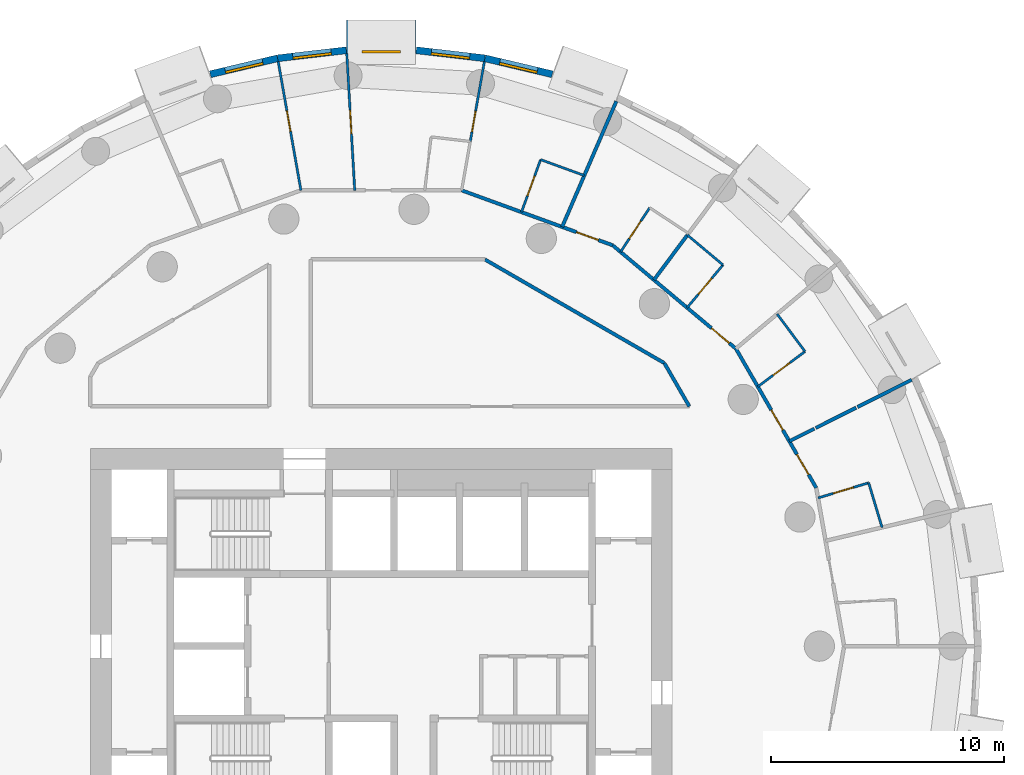
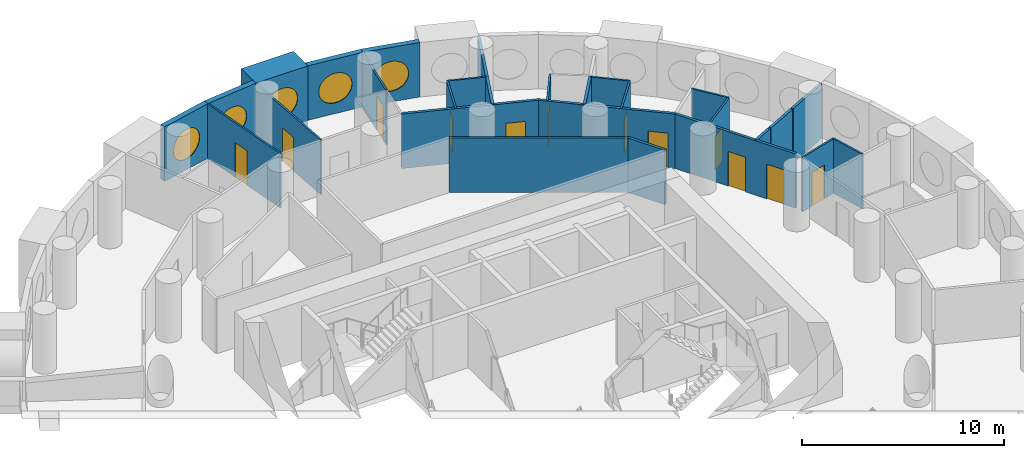
# One storey, part 7 of 10: 27 walls, 12 doors, 5 windows, 17 openings.
"""IFC4 building model written with IfcOpenShell, lengths in metres."""

from ifc_helpers import new_model, si_unit, direction, frame, frame_2d, origin, origin_2d, place, context, subcontext, project, spatial, rectangle, circle, extrude, material, layer, layer_set, type_object, element, fill, save


model = new_model("IFC4")

# Units and contexts
model_context = context("Model", 3, precision=1e-05, world=origin(), true_north=direction((0.0, 1.0)))
body_context = subcontext(model_context, "Body", "Model", "MODEL_VIEW")
ifc_project = project(units=[si_unit("LENGTHUNIT", "METRE"), si_unit("AREAUNIT", "SQUARE_METRE"), si_unit("VOLUMEUNIT", "CUBIC_METRE"), si_unit("PLANEANGLEUNIT", "RADIAN"), si_unit("MASSUNIT", "GRAM", prefix="KILO")], contexts=[model_context])

# Site, building, storey
site_placement = place(None, origin())
site = spatial("IfcSite", under=ifc_project, at=site_placement, CompositionType="ELEMENT")
building_placement = place(site_placement, origin())
building = spatial("IfcBuilding", under=site, at=building_placement, Name="Tracery Tower", CompositionType="ELEMENT")
storey_placement = place(building_placement, frame((0.0, 0.0, 158.39990234375)))
storey = spatial("IfcBuildingStorey", under=building, at=storey_placement, Name="L40", CompositionType="ELEMENT", Elevation=158.39990234375)

# Wall, opening, window
ifc_material_1 = material(Name="Precast concrete C50/60", Category="concrete")
ifc_layer_1 = layer(ifc_material_1, 1.449951171875)
ifc_layer_set_1 = layer_set([ifc_layer_1], Name="Deep-set bay unit 3000 x 3600, slab edge 300")
wall_type_1 = type_object("IfcWallType", Name="Deep-set bay unit 3000 x 3600, slab edge 300", PredefinedType="ELEMENTEDWALL", material=ifc_layer_set_1)
wall_1_placement = place(storey_placement, frame((1.5, 26.178955078125, -0.2998046875), z_axis=(0.0, 0.0, 1.0), x_axis=(-1.0, 0.0, 0.0)))
wall_1 = element("IfcWall", 1, at=wall_1_placement, inside=storey, type_object=wall_type_1, Name="Deep-set bay unit 14 at L40", PredefinedType="ELEMENTEDWALL", context=body_context, shape_type="SweptSolid", body=[
    extrude(rectangle(XDim=3.0, YDim=1.449951171875, at=frame_2d((1.5, 0.0))), origin(), (0.0, 0.0, 1.0), 3.599853515625),
])
opening_1_placement = place(wall_1_placement, frame((1.5, 0.0, 1.85009765625)))
opening_1 = element("IfcOpeningElement", 2, at=opening_1_placement, cuts=wall_1, Name="Opening WN1", PredefinedType="OPENING", context=body_context, shape_type="SweptSolid", body=[
    extrude(circle(Radius=0.9000244140625, at=origin_2d()), frame((0.0, 0.73486328125, 0.0), z_axis=(0.0, -1.0, 0.0), x_axis=(1.0, 0.0, 0.0)), (0.0, 0.0, 1.0), 1.469970703125),
])
ifc_material_2 = material(Name="Aluminium frame with tinted double glazing", Category="aluminium")
window_type = type_object("IfcWindowType", Name="Round window 1800", PartitioningType="SINGLE_PANEL", PredefinedType="WINDOW", material=ifc_material_2)
window_1_placement = place(opening_1_placement, origin())
window_1 = element("IfcWindow", 3, at=window_1_placement, inside=storey, type_object=window_type, Name="Round window 14 at L40", OverallHeight=1.800048828125, OverallWidth=1.800048828125, PartitioningType="SINGLE_PANEL", PredefinedType="WINDOW", context=body_context, shape_type="SweptSolid", body=[
    extrude(circle(Radius=0.9000244140625, at=origin_2d()), frame((0.0, 0.69482421875, 0.0), z_axis=(0.0, -1.0, 0.0), x_axis=(1.0, 0.0, 0.0)), (0.0, 0.0, 1.0), 0.10009765625),
])
fill(opening_1, window_1)

ifc_material_3 = material(Name="Precast concrete C50/60", Category="concrete")
ifc_layer_2 = layer(ifc_material_3, 0.300048828125)
ifc_layer_set_2 = layer_set([ifc_layer_2], Name="Facade panel 3000 x 3300")
wall_type_2 = type_object("IfcWallType", Name="Facade panel 3000 x 3300", PredefinedType="SOLIDWALL", material=ifc_layer_set_2)
wall_2_placement = place(storey_placement, frame((7.346435546875, 24.572265625, 0.0), z_axis=(0.0, 0.0, 1.0), x_axis=(-0.973049746156, 0.230595298102, 0.0)))
wall_2 = element("IfcWall", 4, at=wall_2_placement, inside=storey, type_object=wall_type_2, Name="Facade panel 12 at L40", PredefinedType="SOLIDWALL", context=body_context, shape_type="SweptSolid", body=[
    extrude(rectangle(XDim=2.972900390625, YDim=0.300048828125, at=frame_2d((1.486328125, 0.0))), origin(), (0.0, 0.0, 1.0), 3.300048828125),
])
opening_2_placement = place(wall_2_placement, frame((1.486328125, 0.0, 1.5498046875)))
opening_2 = element("IfcOpeningElement", 5, at=opening_2_placement, cuts=wall_2, Name="Opening WN1", PredefinedType="OPENING", context=body_context, shape_type="SweptSolid", body=[
    extrude(circle(Radius=0.9000244140625, at=origin_2d()), frame((0.0, 0.159912109375, 0.0), z_axis=(0.0, -1.0, 0.0), x_axis=(1.0, 0.0, 0.0)), (0.0, 0.0, 1.0), 0.320068359375),
])
window_2_placement = place(opening_2_placement, origin())
window_2 = element("IfcWindow", 6, at=window_2_placement, inside=storey, type_object=window_type, Name="Round window 12 at L40", OverallHeight=1.800048828125, OverallWidth=1.800048828125, PartitioningType="SINGLE_PANEL", PredefinedType="WINDOW", context=body_context, shape_type="SweptSolid", body=[
    extrude(circle(Radius=0.9000244140625, at=origin_2d()), frame((0.0, 0.1201171875, 0.0), z_axis=(0.0, -1.0, 0.0), x_axis=(1.0, 0.0, 0.0)), (0.0, 0.0, 1.0), 0.10009765625),
])
fill(opening_2, window_2)

wall_3_placement = place(storey_placement, frame((4.45361328125, 25.2578125, 0.0), z_axis=(0.0, 0.0, 1.0), x_axis=(-0.993235542767, 0.116116995244, 0.0)))
wall_3 = element("IfcWall", 7, at=wall_3_placement, inside=storey, type_object=wall_type_2, Name="Facade panel 13 at L40", PredefinedType="SOLIDWALL", context=body_context, shape_type="SweptSolid", body=[
    extrude(rectangle(XDim=2.972900390625, YDim=0.300048828125, at=frame_2d((1.486328125, 0.0))), origin(), (0.0, 0.0, 1.0), 3.300048828125),
])
opening_3_placement = place(wall_3_placement, frame((1.486328125, 0.0, 1.5498046875)))
opening_3 = element("IfcOpeningElement", 8, at=opening_3_placement, cuts=wall_3, Name="Opening WN1", PredefinedType="OPENING", context=body_context, shape_type="SweptSolid", body=[
    extrude(circle(Radius=0.9000244140625, at=origin_2d()), frame((0.0, 0.159912109375, 0.0), z_axis=(0.0, -1.0, 0.0), x_axis=(1.0, 0.0, 0.0)), (0.0, 0.0, 1.0), 0.320068359375),
])
window_3_placement = place(opening_3_placement, origin())
window_3 = element("IfcWindow", 9, at=window_3_placement, inside=storey, type_object=window_type, Name="Round window 13 at L40", OverallHeight=1.800048828125, OverallWidth=1.800048828125, PartitioningType="SINGLE_PANEL", PredefinedType="WINDOW", context=body_context, shape_type="SweptSolid", body=[
    extrude(circle(Radius=0.9000244140625, at=origin_2d()), frame((0.0, 0.1201171875, 0.0), z_axis=(0.0, -1.0, 0.0), x_axis=(1.0, 0.0, 0.0)), (0.0, 0.0, 1.0), 0.10009765625),
])
fill(opening_3, window_3)

wall_4_placement = place(storey_placement, frame((-1.500732421875, 25.60302734375, 0.0), z_axis=(0.0, 0.0, 1.0), x_axis=(-0.993235542767, -0.116116995244, 0.0)))
wall_4 = element("IfcWall", 10, at=wall_4_placement, inside=storey, type_object=wall_type_2, Name="Facade panel 15 at L40", PredefinedType="SOLIDWALL", context=body_context, shape_type="SweptSolid", body=[
    extrude(rectangle(XDim=2.972900390625, YDim=0.300048828125, at=frame_2d((1.486328125, 0.0))), origin(), (0.0, 0.0, 1.0), 3.300048828125),
])
opening_4_placement = place(wall_4_placement, frame((1.486328125, 0.0, 1.5498046875)))
opening_4 = element("IfcOpeningElement", 11, at=opening_4_placement, cuts=wall_4, Name="Opening WN1", PredefinedType="OPENING", context=body_context, shape_type="SweptSolid", body=[
    extrude(circle(Radius=0.9000244140625, at=origin_2d()), frame((0.0, 0.159912109375, 0.0), z_axis=(0.0, -1.0, 0.0), x_axis=(1.0, 0.0, 0.0)), (0.0, 0.0, 1.0), 0.320068359375),
])
window_4_placement = place(opening_4_placement, origin())
window_4 = element("IfcWindow", 12, at=window_4_placement, inside=storey, type_object=window_type, Name="Round window 15 at L40", OverallHeight=1.800048828125, OverallWidth=1.800048828125, PartitioningType="SINGLE_PANEL", PredefinedType="WINDOW", context=body_context, shape_type="SweptSolid", body=[
    extrude(circle(Radius=0.9000244140625, at=origin_2d()), frame((0.0, 0.1201171875, 0.0), z_axis=(0.0, -1.0, 0.0), x_axis=(1.0, 0.0, 0.0)), (0.0, 0.0, 1.0), 0.10009765625),
])
fill(opening_4, window_4)

wall_5_placement = place(storey_placement, frame((-4.45361328125, 25.2578125, 0.0), z_axis=(0.0, 0.0, 1.0), x_axis=(-0.973049746156, -0.230595298102, 0.0)))
wall_5 = element("IfcWall", 13, at=wall_5_placement, inside=storey, type_object=wall_type_2, Name="Facade panel 16 at L40", PredefinedType="SOLIDWALL", context=body_context, shape_type="SweptSolid", body=[
    extrude(rectangle(XDim=2.972900390625, YDim=0.300048828125, at=frame_2d((1.486328125, 0.0))), origin(), (0.0, 0.0, 1.0), 3.300048828125),
])
opening_5_placement = place(wall_5_placement, frame((1.486328125, 0.0, 1.5498046875)))
opening_5 = element("IfcOpeningElement", 14, at=opening_5_placement, cuts=wall_5, Name="Opening WN1", PredefinedType="OPENING", context=body_context, shape_type="SweptSolid", body=[
    extrude(circle(Radius=0.9000244140625, at=origin_2d()), frame((0.0, 0.159912109375, 0.0), z_axis=(0.0, -1.0, 0.0), x_axis=(1.0, 0.0, 0.0)), (0.0, 0.0, 1.0), 0.320068359375),
])
window_5_placement = place(opening_5_placement, origin())
window_5 = element("IfcWindow", 15, at=window_5_placement, inside=storey, type_object=window_type, Name="Round window 16 at L40", OverallHeight=1.800048828125, OverallWidth=1.800048828125, PartitioningType="SINGLE_PANEL", PredefinedType="WINDOW", context=body_context, shape_type="SweptSolid", body=[
    extrude(circle(Radius=0.9000244140625, at=origin_2d()), frame((0.0, 0.1201171875, 0.0), z_axis=(0.0, -1.0, 0.0), x_axis=(1.0, 0.0, 0.0)), (0.0, 0.0, 1.0), 0.10009765625),
])
fill(opening_5, window_5)

# Wall, opening, door
ifc_material_4 = material(Name="Plasterboard on steel studs", Category="steel")
ifc_layer_3 = layer(ifc_material_4, 0.10009765625)
ifc_layer_set_3 = layer_set([ifc_layer_3], Name="Partition 100 stud")
wall_type_3 = type_object("IfcWallType", Name="Partition 100 stud", PredefinedType="PARTITIONING", material=ifc_layer_set_3)
wall_6_placement = place(storey_placement, frame((-1.48291015625, 25.4541015625, 0.0), z_axis=(0.0, 0.0, 1.0), x_axis=(0.058147412668, -0.998308007781, 0.0)))
wall_6 = element("IfcWall", 16, at=wall_6_placement, inside=storey, type_object=wall_type_3, Name="Stud partition RB4-058", PredefinedType="PARTITIONING", context=body_context, shape_type="SweptSolid", body=[
    extrude(rectangle(XDim=5.878173828125, YDim=0.10009765625, at=frame_2d((2.93896484375, 0.0))), origin(), (0.0, 0.0, 1.0), 3.300048828125),
])
opening_6_placement = place(wall_6_placement, frame((2.43896484375, 0.0, 0.0)))
opening_6 = element("IfcOpeningElement", 17, at=opening_6_placement, cuts=wall_6, Name="Opening RB4-16", PredefinedType="OPENING", context=body_context, shape_type="SweptSolid", body=[
    extrude(rectangle(XDim=1.0, YDim=2.0400390625, at=frame_2d((0.5, 1.02001953125))), frame((0.0, 0.050048828125, 0.0), z_axis=(0.0, -1.0, 0.0), x_axis=(1.0, 0.0, 0.0)), (0.0, 0.0, 1.0), 0.10009765625),
])
ifc_material_5 = material(Name="Timber door leaf", Category="wood")
door_type_1 = type_object("IfcDoorType", Name="Door communal room 1000", OperationType="NOTDEFINED", PredefinedType="DOOR", material=ifc_material_5)
door_1_placement = place(opening_6_placement, origin())
door_1 = element("IfcDoor", 18, at=door_1_placement, inside=storey, type_object=door_type_1, Name="Communal room door RB4-16", OperationType="SINGLE_SWING_RIGHT", OverallHeight=2.0400390625, OverallWidth=1.0, PredefinedType="DOOR", context=body_context, shape_type="SweptSolid", body=[
    extrude(rectangle(XDim=1.0, YDim=2.0400390625, at=frame_2d((0.5, 1.02001953125))), frame((0.0, 0.02490234375, 0.0), z_axis=(0.0, -1.0, 0.0), x_axis=(1.0, 0.0, 0.0)), (0.0, 0.0, 1.0), 0.050048828125),
])
fill(opening_6, door_1)

wall_7_placement = place(storey_placement, frame((3.822998046875, 21.68408203125, 0.0), z_axis=(0.0, 0.0, 1.0), x_axis=(0.173893421059, 0.984764478499, 0.0)))
wall_7 = element("IfcWall", 19, at=wall_7_placement, inside=storey, type_object=wall_type_3, Name="Stud partition RB4-061", PredefinedType="PARTITIONING", context=body_context, shape_type="SweptSolid", body=[
    extrude(rectangle(XDim=3.47900390625, YDim=0.10009765625, at=frame_2d((1.739501953125, 0.0))), origin(), (0.0, 0.0, 1.0), 3.300048828125),
])
opening_7_placement = place(wall_7_placement, frame((0.430908203125, 0.0, 0.0)))
opening_7 = element("IfcOpeningElement", 20, at=opening_7_placement, cuts=wall_7, Name="Opening RB4-18", PredefinedType="OPENING", context=body_context, shape_type="SweptSolid", body=[
    extrude(rectangle(XDim=0.89990234375, YDim=2.10009765625, at=frame_2d((0.449951171875, 1.050048828125))), frame((0.0, 0.050048828125, 0.0), z_axis=(0.0, -1.0, 0.0), x_axis=(1.0, 0.0, 0.0)), (0.0, 0.0, 1.0), 0.10009765625),
])
ifc_material_6 = material(Name="Timber door leaf", Category="wood")
door_type_2 = type_object("IfcDoorType", Name="Door bedroom 900", OperationType="NOTDEFINED", PredefinedType="DOOR", material=ifc_material_6)
door_2_placement = place(opening_7_placement, origin())
door_2 = element("IfcDoor", 21, at=door_2_placement, inside=storey, type_object=door_type_2, Name="Bedroom door RB4-18", OperationType="SINGLE_SWING_RIGHT", OverallHeight=2.10009765625, OverallWidth=0.89990234375, PredefinedType="DOOR", context=body_context, shape_type="SweptSolid", body=[
    extrude(rectangle(XDim=0.89990234375, YDim=2.10009765625, at=frame_2d((0.449951171875, 1.050048828125))), frame((0.0, 0.02490234375, 0.0), z_axis=(0.0, -1.0, 0.0), x_axis=(1.0, 0.0, 0.0)), (0.0, 0.0, 1.0), 0.050048828125),
])
fill(opening_7, door_2)

wall_8_placement = place(storey_placement, frame((-4.427978515625, 25.110107421875, 0.0), z_axis=(0.0, 0.0, 1.0), x_axis=(0.17382754149, -0.984776109489, 0.0)))
wall_8 = element("IfcWall", 22, at=wall_8_placement, inside=storey, type_object=wall_type_3, Name="Stud partition RB4-062", PredefinedType="PARTITIONING", context=body_context, shape_type="SweptSolid", body=[
    extrude(rectangle(XDim=5.609619140625, YDim=0.10009765625, at=frame_2d((2.8046875, 0.0))), origin(), (0.0, 0.0, 1.0), 3.300048828125),
])
opening_8_placement = place(wall_8_placement, frame((2.139404296875, 0.0, 0.0)))
opening_8 = element("IfcOpeningElement", 23, at=opening_8_placement, cuts=wall_8, Name="Opening RB4-20", PredefinedType="OPENING", context=body_context, shape_type="SweptSolid", body=[
    extrude(rectangle(XDim=0.89990234375, YDim=2.10009765625, at=frame_2d((0.449951171875, 1.050048828125))), frame((0.0, 0.050048828125, 0.0), z_axis=(0.0, -1.0, 0.0), x_axis=(1.0, 0.0, 0.0)), (0.0, 0.0, 1.0), 0.10009765625),
])
door_3_placement = place(opening_8_placement, origin())
door_3 = element("IfcDoor", 24, at=door_3_placement, inside=storey, type_object=door_type_2, Name="Bedroom door RB4-20", OperationType="SINGLE_SWING_RIGHT", OverallHeight=2.10009765625, OverallWidth=0.89990234375, PredefinedType="DOOR", context=body_context, shape_type="SweptSolid", body=[
    extrude(rectangle(XDim=0.89990234375, YDim=2.10009765625, at=frame_2d((0.449951171875, 1.050048828125))), frame((0.0, 0.02490234375, 0.0), z_axis=(0.0, -1.0, 0.0), x_axis=(1.0, 0.0, 0.0)), (0.0, 0.0, 1.0), 0.050048828125),
])
fill(opening_8, door_3)

# Wall
ifc_material_7 = material(Name="Plasterboard on steel studs", Category="steel")
ifc_layer_4 = layer(ifc_material_7, 0.10009765625)
ifc_layer_set_4 = layer_set([ifc_layer_4], Name="Partition 100 wet wall")
wall_type_4 = type_object("IfcWallType", Name="Partition 100 wet wall", PredefinedType="PARTITIONING", material=ifc_layer_set_4)
wall_9_placement = place(storey_placement, frame((20.94091796875, 7.01806640625, 0.0), z_axis=(0.0, 0.0, 1.0), x_axis=(0.287124264191, -0.957893343182, 0.0)))
element("IfcWall", 25, at=wall_9_placement, inside=storey, type_object=wall_type_4, Name="Wet wall RB4-043", PredefinedType="PARTITIONING", context=body_context, shape_type="SweptSolid", body=[
    extrude(rectangle(XDim=2.00341796875, YDim=0.10009765625, at=frame_2d((1.001708984375, 0.0))), origin(), (0.0, 0.0, 1.0), 3.300048828125),
])

# Wall, opening, door
wall_10_placement = place(storey_placement, frame((18.764892578125, 6.366943359375, 0.0), z_axis=(0.0, 0.0, 1.0), x_axis=(0.958030169919, 0.286667391807, 0.0)))
wall_10 = element("IfcWall", 26, at=wall_10_placement, inside=storey, type_object=wall_type_4, Name="Wet wall RB4-044", PredefinedType="PARTITIONING", context=body_context, shape_type="SweptSolid", body=[
    extrude(rectangle(XDim=2.271240234375, YDim=0.10009765625, at=frame_2d((1.1357421875, 0.0))), origin(), (0.0, 0.0, 1.0), 3.300048828125),
])
opening_9_placement = place(wall_10_placement, frame((0.685302734375, 0.0, 0.0)))
opening_9 = element("IfcOpeningElement", 27, at=opening_9_placement, cuts=wall_10, Name="Opening RB4-07", PredefinedType="OPENING", context=body_context, shape_type="SweptSolid", body=[
    extrude(rectangle(XDim=0.89990234375, YDim=2.0400390625, at=frame_2d((0.449951171875, 1.02001953125))), frame((0.0, 0.050048828125, 0.0), z_axis=(0.0, -1.0, 0.0), x_axis=(1.0, 0.0, 0.0)), (0.0, 0.0, 1.0), 0.10009765625),
])
ifc_material_8 = material(Name="Timber door leaf", Category="wood")
door_type_3 = type_object("IfcDoorType", Name="Door en-suite 900", OperationType="NOTDEFINED", PredefinedType="DOOR", material=ifc_material_8)
door_4_placement = place(opening_9_placement, origin())
door_4 = element("IfcDoor", 28, at=door_4_placement, inside=storey, type_object=door_type_3, Name="En-suite door RB4-07", OperationType="SINGLE_SWING_RIGHT", OverallHeight=2.0400390625, OverallWidth=0.89990234375, PredefinedType="DOOR", context=body_context, shape_type="SweptSolid", body=[
    extrude(rectangle(XDim=0.89990234375, YDim=2.0400390625, at=frame_2d((0.449951171875, 1.02001953125))), frame((0.0, 0.02490234375, 0.0), z_axis=(0.0, -1.0, 0.0), x_axis=(1.0, 0.0, 0.0)), (0.0, 0.0, 1.0), 0.050048828125),
])
fill(opening_9, door_4)

wall_11_placement = place(storey_placement, frame((16.177978515625, 11.14990234375, 0.0), z_axis=(0.0, 0.0, 1.0), x_axis=(0.8020923136, 0.597200067367, 0.0)))
wall_11 = element("IfcWall", 29, at=wall_11_placement, inside=storey, type_object=wall_type_4, Name="Wet wall RB4-048", PredefinedType="PARTITIONING", context=body_context, shape_type="SweptSolid", body=[
    extrude(rectangle(XDim=2.528564453125, YDim=0.10009765625, at=frame_2d((1.26416015625, 0.0))), origin(), (0.0, 0.0, 1.0), 3.300048828125),
])
opening_10_placement = place(wall_11_placement, frame((0.81396484375, 0.0, 0.0)))
opening_10 = element("IfcOpeningElement", 30, at=opening_10_placement, cuts=wall_11, Name="Opening RB4-09", PredefinedType="OPENING", context=body_context, shape_type="SweptSolid", body=[
    extrude(rectangle(XDim=0.89990234375, YDim=2.0400390625, at=frame_2d((0.449951171875, 1.02001953125))), frame((0.0, 0.050048828125, 0.0), z_axis=(0.0, -1.0, 0.0), x_axis=(1.0, 0.0, 0.0)), (0.0, 0.0, 1.0), 0.10009765625),
])
door_5_placement = place(opening_10_placement, origin())
door_5 = element("IfcDoor", 31, at=door_5_placement, inside=storey, type_object=door_type_3, Name="En-suite door RB4-09", OperationType="SINGLE_SWING_LEFT", OverallHeight=2.0400390625, OverallWidth=0.89990234375, PredefinedType="DOOR", context=body_context, shape_type="SweptSolid", body=[
    extrude(rectangle(XDim=0.89990234375, YDim=2.0400390625, at=frame_2d((0.449951171875, 1.02001953125))), frame((0.0, 0.02490234375, 0.0), z_axis=(0.0, -1.0, 0.0), x_axis=(1.0, 0.0, 0.0)), (0.0, 0.0, 1.0), 0.050048828125),
])
fill(opening_10, door_5)

# Wall
wall_12_placement = place(storey_placement, frame((17.007080078125, 14.27099609375, 0.0), z_axis=(0.0, 0.0, 1.0), x_axis=(0.597019866774, -0.802226450996, 0.0)))
element("IfcWall", 32, at=wall_12_placement, inside=storey, type_object=wall_type_4, Name="Wet wall RB4-049", PredefinedType="PARTITIONING", context=body_context, shape_type="SweptSolid", body=[
    extrude(rectangle(XDim=2.00830078125, YDim=0.10009765625, at=frame_2d((1.004150390625, 0.0))), origin(), (0.0, 0.0, 1.0), 3.300048828125),
])

# Wall, opening, door
wall_13_placement = place(storey_placement, frame((13.138916015625, 14.5419921875, 0.0), z_axis=(0.0, 0.0, 1.0), x_axis=(0.642731657745, 0.766091388891, 0.0)))
wall_13 = element("IfcWall", 33, at=wall_13_placement, inside=storey, type_object=wall_type_4, Name="Wet wall RB4-051", PredefinedType="PARTITIONING", context=body_context, shape_type="SweptSolid", body=[
    extrude(rectangle(XDim=2.400634765625, YDim=0.10009765625, at=frame_2d((1.2001953125, 0.0))), origin(), (0.0, 0.0, 1.0), 3.300048828125),
])
opening_11_placement = place(wall_13_placement, frame((0.75, 0.0, 0.0)))
opening_11 = element("IfcOpeningElement", 34, at=opening_11_placement, cuts=wall_13, Name="Opening RB4-11", PredefinedType="OPENING", context=body_context, shape_type="SweptSolid", body=[
    extrude(rectangle(XDim=0.89990234375, YDim=2.0400390625, at=frame_2d((0.449951171875, 1.02001953125))), frame((0.0, 0.050048828125, 0.0), z_axis=(0.0, -1.0, 0.0), x_axis=(1.0, 0.0, 0.0)), (0.0, 0.0, 1.0), 0.10009765625),
])
door_6_placement = place(opening_11_placement, origin())
door_6 = element("IfcDoor", 35, at=door_6_placement, inside=storey, type_object=door_type_3, Name="En-suite door RB4-11", OperationType="SINGLE_SWING_LEFT", OverallHeight=2.0400390625, OverallWidth=0.89990234375, PredefinedType="DOOR", context=body_context, shape_type="SweptSolid", body=[
    extrude(rectangle(XDim=0.89990234375, YDim=2.0400390625, at=frame_2d((0.449951171875, 1.02001953125))), frame((0.0, 0.02490234375, 0.0), z_axis=(0.0, -1.0, 0.0), x_axis=(1.0, 0.0, 0.0)), (0.0, 0.0, 1.0), 0.050048828125),
])
fill(opening_11, door_6)

# Wall
wall_14_placement = place(storey_placement, frame((13.15087890625, 17.6650390625, 0.0), z_axis=(0.0, 0.0, 1.0), x_axis=(0.766224532916, -0.642572925945, 0.0)))
element("IfcWall", 36, at=wall_14_placement, inside=storey, type_object=wall_type_4, Name="Wet wall RB4-052", PredefinedType="PARTITIONING", context=body_context, shape_type="SweptSolid", body=[
    extrude(rectangle(XDim=1.998046875, YDim=0.10009765625, at=frame_2d((0.9990234375, 0.0))), origin(), (0.0, 0.0, 1.0), 3.300048828125),
])

# Wall, opening, door
wall_15_placement = place(storey_placement, frame((10.281982421875, 16.93896484375, 0.0), z_axis=(0.0, 0.0, 1.0), x_axis=(0.549730960803, 0.83534176882, 0.0)))
wall_15 = element("IfcWall", 37, at=wall_15_placement, inside=storey, type_object=wall_type_4, Name="Wet wall RB4-056", PredefinedType="PARTITIONING", context=body_context, shape_type="SweptSolid", body=[
    extrude(rectangle(XDim=2.27197265625, YDim=0.10009765625, at=frame_2d((1.135986328125, 0.0))), origin(), (0.0, 0.0, 1.0), 3.300048828125),
])
opening_12_placement = place(wall_15_placement, frame((0.68603515625, 0.0, 0.0)))
opening_12 = element("IfcOpeningElement", 38, at=opening_12_placement, cuts=wall_15, Name="Opening RB4-13", PredefinedType="OPENING", context=body_context, shape_type="SweptSolid", body=[
    extrude(rectangle(XDim=0.89990234375, YDim=2.0400390625, at=frame_2d((0.449951171875, 1.02001953125))), frame((0.0, 0.050048828125, 0.0), z_axis=(0.0, -1.0, 0.0), x_axis=(1.0, 0.0, 0.0)), (0.0, 0.0, 1.0), 0.10009765625),
])
door_7_placement = place(opening_12_placement, origin())
door_7 = element("IfcDoor", 39, at=door_7_placement, inside=storey, type_object=door_type_3, Name="En-suite door RB4-13", OperationType="SINGLE_SWING_LEFT", OverallHeight=2.0400390625, OverallWidth=0.89990234375, PredefinedType="DOOR", context=body_context, shape_type="SweptSolid", body=[
    extrude(rectangle(XDim=0.89990234375, YDim=2.0400390625, at=frame_2d((0.449951171875, 1.02001953125))), frame((0.0, 0.02490234375, 0.0), z_axis=(0.0, -1.0, 0.0), x_axis=(1.0, 0.0, 0.0)), (0.0, 0.0, 1.0), 0.050048828125),
])
fill(opening_12, door_7)

# Wall
wall_16_placement = place(storey_placement, frame((6.844970703125, 20.905029296875, 0.0), z_axis=(0.0, 0.0, 1.0), x_axis=(0.939757747305, -0.341841156651, 0.0)))
element("IfcWall", 40, at=wall_16_placement, inside=storey, type_object=wall_type_4, Name="Wet wall RB4-064", PredefinedType="PARTITIONING", context=body_context, shape_type="SweptSolid", body=[
    extrude(rectangle(XDim=1.998291015625, YDim=0.10009765625, at=frame_2d((0.9990234375, 0.0))), origin(), (0.0, 0.0, 1.0), 3.300048828125),
])

# Wall, opening, door
wall_17_placement = place(storey_placement, frame((6.02392578125, 18.64990234375, 0.0), z_axis=(0.0, 0.0, 1.0), x_axis=(0.342110593602, 0.939659694648, 0.0)))
wall_17 = element("IfcWall", 41, at=wall_17_placement, inside=storey, type_object=wall_type_4, Name="Wet wall RB4-065", PredefinedType="PARTITIONING", context=body_context, shape_type="SweptSolid", body=[
    extrude(rectangle(XDim=2.39990234375, YDim=0.10009765625, at=frame_2d((1.199951171875, 0.0))), origin(), (0.0, 0.0, 1.0), 3.300048828125),
])
opening_13_placement = place(wall_17_placement, frame((0.749755859375, 0.0, 0.0)))
opening_13 = element("IfcOpeningElement", 42, at=opening_13_placement, cuts=wall_17, Name="Opening RB4-19", PredefinedType="OPENING", context=body_context, shape_type="SweptSolid", body=[
    extrude(rectangle(XDim=0.89990234375, YDim=2.0400390625, at=frame_2d((0.449951171875, 1.02001953125))), frame((0.0, 0.050048828125, 0.0), z_axis=(0.0, -1.0, 0.0), x_axis=(1.0, 0.0, 0.0)), (0.0, 0.0, 1.0), 0.10009765625),
])
door_8_placement = place(opening_13_placement, origin())
door_8 = element("IfcDoor", 43, at=door_8_placement, inside=storey, type_object=door_type_3, Name="En-suite door RB4-19", OperationType="SINGLE_SWING_RIGHT", OverallHeight=2.0400390625, OverallWidth=0.89990234375, PredefinedType="DOOR", context=body_context, shape_type="SweptSolid", body=[
    extrude(rectangle(XDim=0.89990234375, YDim=2.0400390625, at=frame_2d((0.449951171875, 1.02001953125))), frame((0.0, 0.02490234375, 0.0), z_axis=(0.0, -1.0, 0.0), x_axis=(1.0, 0.0, 0.0)), (0.0, 0.0, 1.0), 0.050048828125),
])
fill(opening_13, door_8)

# Walls
ifc_material_9 = material(Name="Plasterboard on steel studs", Category="steel")
ifc_layer_5 = layer(ifc_material_9, 0.14990234375)
ifc_layer_set_5 = layer_set([ifc_layer_5], Name="Partition 150 acoustic unit wall")
wall_type_5 = type_object("IfcWallType", Name="Partition 150 acoustic unit wall", PredefinedType="PARTITIONING", material=ifc_layer_set_5)
wall_18_placement = place(storey_placement, frame((17.531982421875, 8.804931640625, 0.0), z_axis=(0.0, 0.0, 1.0), x_axis=(0.893574741649, 0.448914447403, 0.0)))
element("IfcWall", 44, at=wall_18_placement, inside=storey, type_object=wall_type_5, Name="Unit wall RB4-045", PredefinedType="PARTITIONING", context=body_context, shape_type="SweptSolid", body=[
    extrude(rectangle(XDim=1.205078125, YDim=0.14990234375, at=frame_2d((0.6025390625, 0.0))), origin(), (0.0, 0.0, 1.0), 3.300048828125),
])
wall_19_placement = place(storey_placement, frame((20.4599609375, 10.27490234375, 0.0), z_axis=(0.0, 0.0, 1.0), x_axis=(0.893543449143, 0.448976730458, 0.0)))
element("IfcWall", 45, at=wall_19_placement, inside=storey, type_object=wall_type_5, Name="Unit wall RB4-046", PredefinedType="PARTITIONING", context=body_context, shape_type="SweptSolid", body=[
    extrude(rectangle(XDim=2.60205078125, YDim=0.14990234375, at=frame_2d((1.301025390625, 0.0))), origin(), (0.0, 0.0, 1.0), 3.300048828125),
])
wall_20_placement = place(storey_placement, frame((18.669921875, 9.3759765625, 0.0), z_axis=(0.0, 0.0, 1.0), x_axis=(0.893466318026, 0.449130202227, 0.0)))
element("IfcWall", 46, at=wall_20_placement, inside=storey, type_object=wall_type_5, Name="Unit wall RB4-047", PredefinedType="PARTITIONING", context=body_context, shape_type="SweptSolid", body=[
    extrude(rectangle(XDim=1.93505859375, YDim=0.14990234375, at=frame_2d((0.967529296875, 0.0))), origin(), (0.0, 0.0, 1.0), 3.300048828125),
])
wall_21_placement = place(storey_placement, frame((11.716064453125, 15.737060546875, 0.0), z_axis=(0.0, 0.0, 1.0), x_axis=(0.597021412293, 0.802225300813, 0.0)))
element("IfcWall", 47, at=wall_21_placement, inside=storey, type_object=wall_type_5, Name="Unit wall RB4-054", PredefinedType="PARTITIONING", context=body_context, shape_type="SweptSolid", body=[
    extrude(rectangle(XDim=2.4033203125, YDim=0.14990234375, at=frame_2d((1.20166015625, 0.0))), origin(), (0.0, 0.0, 1.0), 3.300048828125),
])
wall_22_placement = place(storey_placement, frame((7.769775390625, 18.0146484375, 0.0), z_axis=(0.0, 0.0, 1.0), x_axis=(0.396238716554, 0.918147526002, 0.0)))
element("IfcWall", 48, at=wall_22_placement, inside=storey, type_object=wall_type_5, Name="Unit wall RB4-057", PredefinedType="PARTITIONING", context=body_context, shape_type="SweptSolid", body=[
    extrude(rectangle(XDim=5.878662109375, YDim=0.14990234375, at=frame_2d((2.939453125, 0.0))), origin(), (0.0, 0.0, 1.0), 3.300048828125),
])
ifc_material_10 = material(Name="Plasterboard on steel studs", Category="steel")
ifc_layer_6 = layer(ifc_material_10, 0.14990234375)
ifc_layer_set_6 = layer_set([ifc_layer_6], Name="Partition 150 corridor wall")
wall_type_6 = type_object("IfcWallType", Name="Partition 150 corridor wall", PredefinedType="PARTITIONING", material=ifc_layer_set_6)
wall_23_placement = place(storey_placement, frame((12.162109375, 12.162109375, 0.0), z_axis=(0.0, 0.0, 1.0), x_axis=(0.499961633463, -0.866047553582, 0.0)))
element("IfcWall", 49, at=wall_23_placement, inside=storey, type_object=wall_type_6, Name="Corridor wall RB4-005", PredefinedType="PARTITIONING", context=body_context, shape_type="SweptSolid", body=[
    extrude(rectangle(XDim=2.150146484375, YDim=0.14990234375, at=frame_2d((1.0751953125, 0.0))), origin(), (0.0, 0.0, 1.0), 3.300048828125),
])

# Wall, openings, doors
wall_24_placement = place(storey_placement, frame((15.23486328125, 12.783935546875, 0.0), z_axis=(0.0, 0.0, 1.0), x_axis=(0.499940714931, -0.86605962933, 0.0)))
wall_24 = element("IfcWall", 50, at=wall_24_placement, inside=storey, type_object=wall_type_6, Name="Corridor wall RB4-008", PredefinedType="PARTITIONING", context=body_context, shape_type="SweptSolid", body=[
    extrude(rectangle(XDim=6.906982421875, YDim=0.14990234375, at=frame_2d((3.45361328125, 0.0))), origin(), (0.0, 0.0, 1.0), 3.300048828125),
])
opening_14_placement = place(wall_24_placement, frame((5.248779296875, 0.0, 0.0)))
opening_14 = element("IfcOpeningElement", 51, at=opening_14_placement, cuts=wall_24, Name="Opening RB4-08", PredefinedType="OPENING", context=body_context, shape_type="SweptSolid", body=[
    extrude(rectangle(XDim=1.0, YDim=2.10009765625, at=frame_2d((0.5, 1.050048828125))), frame((0.0, 0.074951171875, 0.0), z_axis=(0.0, -1.0, 0.0), x_axis=(1.0, 0.0, 0.0)), (0.0, 0.0, 1.0), 0.14990234375),
])
opening_15_placement = place(wall_24_placement, frame((3.041015625, 0.0, 0.0)))
opening_15 = element("IfcOpeningElement", 52, at=opening_15_placement, cuts=wall_24, Name="Opening RB4-10", PredefinedType="OPENING", context=body_context, shape_type="SweptSolid", body=[
    extrude(rectangle(XDim=1.0, YDim=2.10009765625, at=frame_2d((0.5, 1.050048828125))), frame((0.0, 0.074951171875, 0.0), z_axis=(0.0, -1.0, 0.0), x_axis=(1.0, 0.0, 0.0)), (0.0, 0.0, 1.0), 0.14990234375),
])
ifc_material_11 = material(Name="Timber door leaf", Category="wood")
door_type_4 = type_object("IfcDoorType", Name="Door unit entrance 1000", OperationType="NOTDEFINED", PredefinedType="DOOR", material=ifc_material_11)
door_9_placement = place(opening_14_placement, origin())
door_9 = element("IfcDoor", 53, at=door_9_placement, inside=storey, type_object=door_type_4, Name="Unit entrance door RB4-08", OperationType="SINGLE_SWING_LEFT", OverallHeight=2.10009765625, OverallWidth=1.0, PredefinedType="DOOR", context=body_context, shape_type="SweptSolid", body=[
    extrude(rectangle(XDim=1.0, YDim=2.10009765625, at=frame_2d((0.5, 1.050048828125))), frame((0.0, 0.02490234375, 0.0), z_axis=(0.0, -1.0, 0.0), x_axis=(1.0, 0.0, 0.0)), (0.0, 0.0, 1.0), 0.050048828125),
])
fill(opening_14, door_9)
door_10_placement = place(opening_15_placement, origin())
door_10 = element("IfcDoor", 54, at=door_10_placement, inside=storey, type_object=door_type_4, Name="Unit entrance door RB4-10", OperationType="SINGLE_SWING_RIGHT", OverallHeight=2.10009765625, OverallWidth=1.0, PredefinedType="DOOR", context=body_context, shape_type="SweptSolid", body=[
    extrude(rectangle(XDim=1.0, YDim=2.10009765625, at=frame_2d((0.5, 1.050048828125))), frame((0.0, 0.02490234375, 0.0), z_axis=(0.0, -1.0, 0.0), x_axis=(1.0, 0.0, 0.0)), (0.0, 0.0, 1.0), 0.050048828125),
])
fill(opening_15, door_10)

# Wall, opening, door
wall_25_placement = place(storey_placement, frame((9.943359375, 17.22216796875, 0.0), z_axis=(0.0, 0.0, 1.0), x_axis=(0.766192104565, -0.642611592567, 0.0)))
wall_25 = element("IfcWall", 55, at=wall_25_placement, inside=storey, type_object=wall_type_6, Name="Corridor wall RB4-009", PredefinedType="PARTITIONING", context=body_context, shape_type="SweptSolid", body=[
    extrude(rectangle(XDim=6.906494140625, YDim=0.14990234375, at=frame_2d((3.453125, 0.0))), origin(), (0.0, 0.0, 1.0), 3.300048828125),
])
opening_16_placement = place(wall_25_placement, frame((5.53662109375, 0.0, 0.0)))
opening_16 = element("IfcOpeningElement", 56, at=opening_16_placement, cuts=wall_25, Name="Opening RB4-12", PredefinedType="OPENING", context=body_context, shape_type="SweptSolid", body=[
    extrude(rectangle(XDim=1.0, YDim=2.10009765625, at=frame_2d((0.5, 1.050048828125))), frame((0.0, 0.074951171875, 0.0), z_axis=(0.0, -1.0, 0.0), x_axis=(1.0, 0.0, 0.0)), (0.0, 0.0, 1.0), 0.14990234375),
])
door_11_placement = place(opening_16_placement, origin())
door_11 = element("IfcDoor", 57, at=door_11_placement, inside=storey, type_object=door_type_4, Name="Unit entrance door RB4-12", OperationType="SINGLE_SWING_RIGHT", OverallHeight=2.10009765625, OverallWidth=1.0, PredefinedType="DOOR", context=body_context, shape_type="SweptSolid", body=[
    extrude(rectangle(XDim=1.0, YDim=2.10009765625, at=frame_2d((0.5, 1.050048828125))), frame((0.0, 0.02490234375, 0.0), z_axis=(0.0, -1.0, 0.0), x_axis=(1.0, 0.0, 0.0)), (0.0, 0.0, 1.0), 0.050048828125),
])
fill(opening_16, door_11)

# Wall
wall_26_placement = place(storey_placement, frame((4.451904296875, 16.614013671875, 0.0), z_axis=(0.0, 0.0, 1.0), x_axis=(0.866005203721, -0.500034985904, 0.0)))
element("IfcWall", 58, at=wall_26_placement, inside=storey, type_object=wall_type_6, Name="Corridor wall RB4-015", PredefinedType="PARTITIONING", context=body_context, shape_type="SweptSolid", body=[
    extrude(rectangle(XDim=8.903076171875, YDim=0.14990234375, at=frame_2d((4.45166015625, 0.0))), origin(), (0.0, 0.0, 1.0), 3.300048828125),
])

# Wall, opening, door
wall_27_placement = place(storey_placement, frame((3.452392578125, 19.584716796875, 0.0), z_axis=(0.0, 0.0, 1.0), x_axis=(0.939737689664, -0.341896292208, 0.0)))
wall_27 = element("IfcWall", 59, at=wall_27_placement, inside=storey, type_object=wall_type_6, Name="Corridor wall RB4-018", PredefinedType="PARTITIONING", context=body_context, shape_type="SweptSolid", body=[
    extrude(rectangle(XDim=6.907958984375, YDim=0.14990234375, at=frame_2d((3.4541015625, 0.0))), origin(), (0.0, 0.0, 1.0), 3.300048828125),
])
opening_17_placement = place(wall_27_placement, frame((5.2490234375, 0.0, 0.0)))
opening_17 = element("IfcOpeningElement", 60, at=opening_17_placement, cuts=wall_27, Name="Opening RB4-14", PredefinedType="OPENING", context=body_context, shape_type="SweptSolid", body=[
    extrude(rectangle(XDim=1.0, YDim=2.10009765625, at=frame_2d((0.5, 1.050048828125))), frame((0.0, 0.074951171875, 0.0), z_axis=(0.0, -1.0, 0.0), x_axis=(1.0, 0.0, 0.0)), (0.0, 0.0, 1.0), 0.14990234375),
])
door_12_placement = place(opening_17_placement, origin())
door_12 = element("IfcDoor", 61, at=door_12_placement, inside=storey, type_object=door_type_4, Name="Unit entrance door RB4-14", OperationType="SINGLE_SWING_LEFT", OverallHeight=2.10009765625, OverallWidth=1.0, PredefinedType="DOOR", context=body_context, shape_type="SweptSolid", body=[
    extrude(rectangle(XDim=1.0, YDim=2.10009765625, at=frame_2d((0.5, 1.050048828125))), frame((0.0, 0.02490234375, 0.0), z_axis=(0.0, -1.0, 0.0), x_axis=(1.0, 0.0, 0.0)), (0.0, 0.0, 1.0), 0.050048828125),
])
fill(opening_17, door_12)

save(model, "model.ifc")
